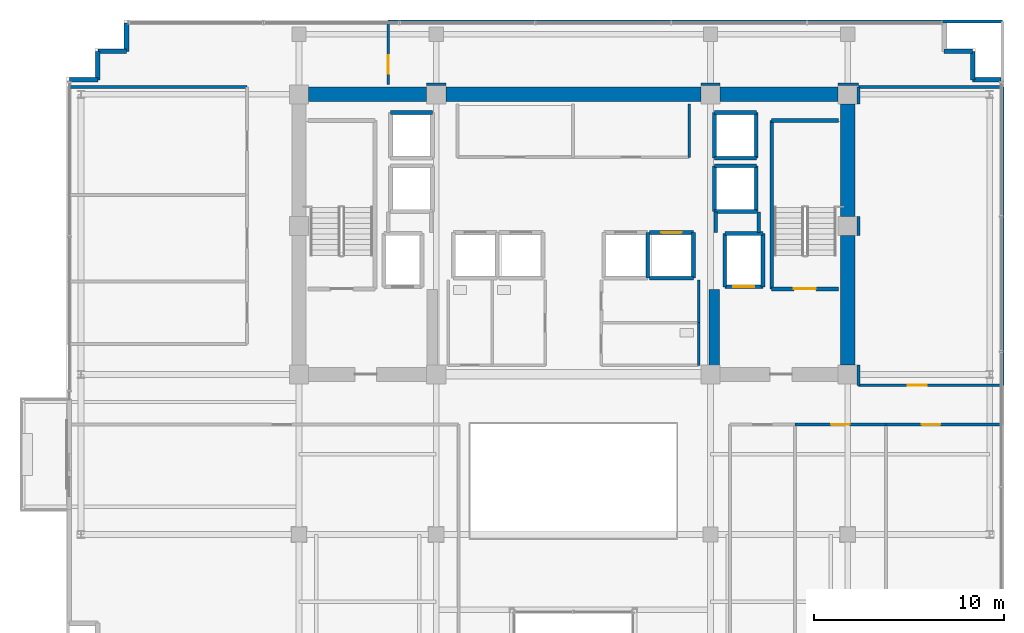
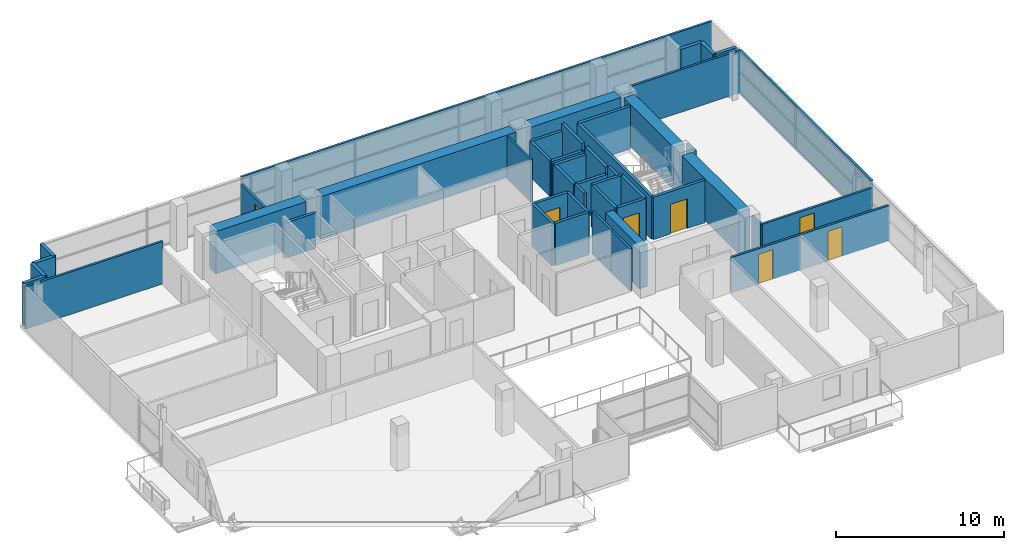
# One storey, part 16 of 21: 52 walls, 7 doors, 7 openings.
"""IFC4 building model written with IfcOpenShell, lengths in metres."""

from ifc_helpers import new_model, si_unit, direction, frame, frame_2d, origin, place, context, subcontext, project, spatial, rectangle, extrude, source, transform, mapped, material, layer, layer_set, type_object, element, fill, save


model = new_model("IFC4")

# Units and contexts
model_context = context("Model", 3, precision=1e-05, world=origin(), true_north=direction((0.0, 1.0)))
body_context = subcontext(model_context, "Body", "Model", "MODEL_VIEW")
ifc_project = project(units=[si_unit("LENGTHUNIT", "METRE"), si_unit("AREAUNIT", "SQUARE_METRE"), si_unit("VOLUMEUNIT", "CUBIC_METRE"), si_unit("PLANEANGLEUNIT", "RADIAN"), si_unit("MASSUNIT", "GRAM", prefix="KILO")], contexts=[model_context])

# Site, building, storey
site_placement = place(None, origin())
site = spatial("IfcSite", under=ifc_project, at=site_placement, CompositionType="ELEMENT")
building_placement = place(site_placement, origin())
building = spatial("IfcBuilding", under=site, at=building_placement, Name="Zarnakvel Exchange Tower", CompositionType="ELEMENT")
storey_placement = place(building_placement, frame((0.0, 0.0, 159.39990234375)))
storey = spatial("IfcBuildingStorey", under=building, at=storey_placement, Name="L44", CompositionType="ELEMENT", Elevation=159.39990234375)

# Walls
ifc_material_1 = material(Name="Concrete C60/75", Category="concrete")
ifc_layer_1 = layer(ifc_material_1, 0.75)
ifc_layer_set_1 = layer_set([ifc_layer_1], Name="Concrete C60/75")
wall_type_1 = type_object("IfcWallType", Name="CW-C3", PredefinedType="SHEAR", material=ifc_layer_set_1)
wall_1_placement = place(storey_placement, frame((-13.89990234375, 13.5, 0.0), z_axis=(0.0, 0.0, 1.0), x_axis=(1.0, 0.0, 0.0)))
element("IfcWall", 1, at=wall_1_placement, inside=storey, type_object=wall_type_1, Name="L44 Rear Core Shear Wall N1 (CW-C3)", PredefinedType="SHEAR", context=body_context, shape_type="SweptSolid", body=[
    extrude(rectangle(XDim=6.199951171875, YDim=0.75, at=frame_2d((3.10009765625, 0.0))), origin(), (0.0, 0.0, 1.0), 3.0751953125),
])
wall_2_placement = place(storey_placement, frame((-6.699951171875, 13.5, 0.0), z_axis=(0.0, 0.0, 1.0), x_axis=(1.0, 0.0, 0.0)))
element("IfcWall", 2, at=wall_2_placement, inside=storey, type_object=wall_type_1, Name="L44 Rear Core Shear Wall N2 (CW-C3)", PredefinedType="SHEAR", context=body_context, shape_type="SweptSolid", body=[
    extrude(rectangle(XDim=13.39990234375, YDim=0.75, at=frame_2d((6.699951171875, 0.0))), origin(), (0.0, 0.0, 1.0), 3.0751953125),
])
wall_3_placement = place(storey_placement, frame((7.699951171875, 13.5, 0.0), z_axis=(0.0, 0.0, 1.0), x_axis=(1.0, 0.0, 0.0)))
element("IfcWall", 3, at=wall_3_placement, inside=storey, type_object=wall_type_1, Name="L44 Rear Core Shear Wall N3 (CW-C3)", PredefinedType="SHEAR", context=body_context, shape_type="SweptSolid", body=[
    extrude(rectangle(XDim=6.199951171875, YDim=0.75, at=frame_2d((3.10009765625, 0.0))), origin(), (0.0, 0.0, 1.0), 3.0751953125),
])
wall_4_placement = place(storey_placement, frame((14.39990234375, -0.699951171875, 0.0), z_axis=(0.0, 0.0, 1.0), x_axis=(0.0, 1.0, 0.0)))
element("IfcWall", 4, at=wall_4_placement, inside=storey, type_object=wall_type_1, Name="L44 Rear Core Shear Wall E1 (CW-C3)", PredefinedType="SHEAR", context=body_context, shape_type="SweptSolid", body=[
    extrude(rectangle(XDim=6.800048828125, YDim=0.75, at=frame_2d((3.39990234375, 0.0))), origin(), (0.0, 0.0, 1.0), 3.0751953125),
])
wall_5_placement = place(storey_placement, frame((14.39990234375, 7.10009765625, 0.0), z_axis=(0.0, 0.0, 1.0), x_axis=(0.0, 1.0, 0.0)))
element("IfcWall", 5, at=wall_5_placement, inside=storey, type_object=wall_type_1, Name="L44 Rear Core Shear Wall E2 (CW-C3)", PredefinedType="SHEAR", context=body_context, shape_type="SweptSolid", body=[
    extrude(rectangle(XDim=5.89990234375, YDim=0.75, at=frame_2d((2.949951171875, 0.0))), origin(), (0.0, 0.0, 1.0), 3.0751953125),
])
ifc_layer_2 = layer(ifc_material_1, 0.550048828125)
ifc_layer_set_2 = layer_set([ifc_layer_2], Name="Concrete C60/75")
wall_type_2 = type_object("IfcWallType", Name="CW-C4", PredefinedType="SHEAR", material=ifc_layer_set_2)
wall_6_placement = place(storey_placement, frame((7.39990234375, -0.824951171875, 0.0), z_axis=(0.0, 0.0, 1.0), x_axis=(0.0, 1.0, 0.0)))
element("IfcWall", 6, at=wall_6_placement, inside=storey, type_object=wall_type_2, Name="L44 Rear Core Shear Wall IE (CW-C4)", PredefinedType="SHEAR", context=body_context, shape_type="SweptSolid", body=[
    extrude(rectangle(XDim=4.074951171875, YDim=0.550048828125, at=frame_2d((2.03759765625, 0.0))), origin(), (0.0, 0.0, 1.0), 3.0751953125),
])
ifc_material_2 = material(Name="Precast concrete C40/50", Category="concrete")
ifc_layer_3 = layer(ifc_material_2, 0.239990234375)
ifc_layer_set_3 = layer_set([ifc_layer_3], Name="Precast concrete C40/50")
wall_type_3 = type_object("IfcWallType", Name="EW-02", PredefinedType="SOLIDWALL", material=ifc_layer_set_3)
for number, where, z_axis, x_axis, name in (
    (7, (-24.9599609375, 14.260009765625, 0.0), (0.0, 0.0, 1.0), (-1.0, 0.0, 0.0), "L44 Exterior Precast Spandrel Wall EWC-L44-03 (EW-02)"),
    (8, (-24.9599609375, 15.760009765625, 0.0), (0.0, 0.0, 1.0), (0.0, -1.0, 0.0), "L44 Exterior Precast Spandrel Wall EWC-L44-04 (EW-02)"),
    (9, (-23.4599609375, 15.760009765625, 0.0), (0.0, 0.0, 1.0), (-1.0, 0.0, 0.0), "L44 Exterior Precast Spandrel Wall EWC-L44-05 (EW-02)"),
    (10, (-23.4599609375, 17.260009765625, 0.0), (0.0, 0.0, 1.0), (0.0, -1.0, 0.0), "L44 Exterior Precast Spandrel Wall EWC-L44-06 (EW-02)"),
    (11, (20.9599609375, 15.760009765625, 0.0), (0.0, 0.0, 1.0), (-1.0, 0.0, 0.0), "L44 Exterior Precast Spandrel Wall EWC-L44-08 (EW-02)"),
    (12, (20.9599609375, 14.260009765625, 0.0), (0.0, 0.0, 1.0), (0.0, 1.0, 0.0), "L44 Exterior Precast Spandrel Wall EWC-L44-09 (EW-02)"),
    (13, (22.4599609375, 14.260009765625, 0.0), (0.0, 0.0, 1.0), (-1.0, 0.0, 0.0), "L44 Exterior Precast Spandrel Wall EWC-L44-10 (EW-02)"),
):
    element("IfcWall", number, at=place(storey_placement, frame(where, z_axis=z_axis, x_axis=x_axis)), inside=storey, type_object=wall_type_3, Name=name, PredefinedType="SOLIDWALL", context=body_context, shape_type="SweptSolid", body=[
        extrude(rectangle(XDim=1.5, YDim=0.239990234375, at=frame_2d((0.75, 0.0))), origin(), (0.0, 0.0, 1.0), 3.0751953125),
    ])
ifc_material_3 = material(Name="Fire-Rated Gypsum Stud Partition", Category="gypsum")
ifc_layer_4 = layer(ifc_material_3, 0.14990234375)
ifc_layer_set_4 = layer_set([ifc_layer_4], Name="Fire-Rated Gypsum Stud Partition")
wall_type_4 = type_object("IfcWallType", Name="PT-01", PredefinedType="PARTITIONING", material=ifc_layer_set_4)
wall_7_placement = place(storey_placement, frame((6.580078125, 3.760009765625, 0.0), z_axis=(0.0, 0.0, 1.0), x_axis=(0.0, -1.0, 0.0)))
element("IfcWall", 14, at=wall_7_placement, inside=storey, type_object=wall_type_4, Name="L44 Partition Wall PWALL-L44-026 (PT-01)", PredefinedType="PARTITIONING", context=body_context, shape_type="SweptSolid", body=[
    extrude(rectangle(XDim=2.239990234375, YDim=0.14990234375, at=frame_2d((1.1201171875, 0.0))), origin(), (0.0, 0.0, 1.0), 3.0751953125),
])

# Wall, opening, door
wall_8_placement = place(storey_placement, frame((11.6298828125, -3.830078125, 0.0), z_axis=(0.0, 0.0, 1.0), x_axis=(1.0, 0.0, 0.0)))
wall_8 = element("IfcWall", 15, at=wall_8_placement, inside=storey, type_object=wall_type_4, Name="L44 Partition Wall PWALL-L44-036 (PT-01)", PredefinedType="PARTITIONING", context=body_context, shape_type="SweptSolid", body=[
    extrude(rectangle(XDim=4.77197265625, YDim=0.14990234375, at=frame_2d((2.385986328125, 0.0))), origin(), (0.0, 0.0, 1.0), 2.565185546875),
])
opening_1_placement = place(wall_8_placement, frame((1.89599609375, 0.0, 0.0)))
opening_1 = element("IfcOpeningElement", 16, at=opening_1_placement, cuts=wall_8, Name="Opening D-L44-13", PredefinedType="OPENING", context=body_context, shape_type="SweptSolid", body=[
    extrude(rectangle(XDim=0.97998046875, YDim=2.14990234375, at=frame_2d((0.489990234375, 1.074951171875))), frame((0.0, 0.0849609375, 0.0), z_axis=(0.0, -1.0, 0.0), x_axis=(1.0, 0.0, 0.0)), (0.0, 0.0, 1.0), 0.169921875),
])
ifc_material_4 = material(Name="Timber Acoustic Veneer", Category="wood")
door_type_1 = type_object("IfcDoorType", Name="DT-05", OperationType="NOTDEFINED", PredefinedType="DOOR", material=ifc_material_4)
shared_shape_1 = source(origin(), body_context, "Body", "SweptSolid", [
    extrude(rectangle(XDim=0.97998046875, YDim=2.14990234375, at=frame_2d((0.489990234375, 1.074951171875))), frame((0.0, 0.02490234375, 0.0), z_axis=(0.0, -1.0, 0.0), x_axis=(1.0, 0.0, 0.0)), (0.0, 0.0, 1.0), 0.050048828125),
])
door_1_placement = place(opening_1_placement, origin())
door_1 = element("IfcDoor", 17, at=door_1_placement, inside=storey, type_object=door_type_1, Name="L44 Breakout Pantry Door D-L44-13", OperationType="SINGLE_SWING_LEFT", OverallHeight=2.14990234375, OverallWidth=0.97998046875, PredefinedType="DOOR", context=body_context, shape_type="MappedRepresentation", body=[
    mapped(shared_shape_1, transform((0.0, 0.0, 0.0), x_axis=(1.0, 0.0, 0.0), y_axis=(0.0, 1.0, 0.0), z_axis=(0.0, 0.0, 1.0), scale=1.0)),
])
fill(opening_1, door_1)

wall_9_placement = place(storey_placement, frame((16.40185546875, -3.830078125, 0.0), z_axis=(0.0, 0.0, 1.0), x_axis=(1.0, 0.0, 0.0)))
wall_9 = element("IfcWall", 18, at=wall_9_placement, inside=storey, type_object=wall_type_4, Name="L44 Partition Wall PWALL-L44-039 (PT-01)", PredefinedType="PARTITIONING", context=body_context, shape_type="SweptSolid", body=[
    extrude(rectangle(XDim=6.128173828125, YDim=0.14990234375, at=frame_2d((3.06396484375, 0.0))), origin(), (0.0, 0.0, 1.0), 2.565185546875),
])
opening_2_placement = place(wall_9_placement, frame((1.874267578125, 0.0, 0.0)))
opening_2 = element("IfcOpeningElement", 19, at=opening_2_placement, cuts=wall_9, Name="Opening D-L44-14", PredefinedType="OPENING", context=body_context, shape_type="SweptSolid", body=[
    extrude(rectangle(XDim=0.97998046875, YDim=2.14990234375, at=frame_2d((0.489990234375, 1.074951171875))), frame((0.0, 0.0849609375, 0.0), z_axis=(0.0, -1.0, 0.0), x_axis=(1.0, 0.0, 0.0)), (0.0, 0.0, 1.0), 0.169921875),
])
door_2_placement = place(opening_2_placement, origin())
door_2 = element("IfcDoor", 20, at=door_2_placement, inside=storey, type_object=door_type_1, Name="L44 Settlement Office Door D-L44-14", OperationType="SINGLE_SWING_RIGHT", OverallHeight=2.14990234375, OverallWidth=0.97998046875, PredefinedType="DOOR", context=body_context, shape_type="MappedRepresentation", body=[
    mapped(shared_shape_1, transform((0.0, 0.0, 0.0), x_axis=(1.0, 0.0, 0.0), y_axis=(0.0, 1.0, 0.0), z_axis=(0.0, 0.0, 1.0), scale=1.0)),
])
fill(opening_2, door_2)

# Wall
wall_10_placement = place(storey_placement, frame((-26.530029296875, 13.8798828125, 0.0), z_axis=(0.0, 0.0, 1.0), x_axis=(1.0, 0.0, 0.0)))
element("IfcWall", 21, at=wall_10_placement, inside=storey, type_object=wall_type_4, Name="L44 Partition Wall PWALL-L44-048 (PT-01)", PredefinedType="PARTITIONING", context=body_context, shape_type="SweptSolid", body=[
    extrude(rectangle(XDim=9.400146484375, YDim=0.14990234375, at=frame_2d((4.7001953125, 0.0))), origin(), (0.0, 0.0, 1.0), 3.0751953125),
])

# Wall, opening, door
wall_11_placement = place(storey_placement, frame((22.530029296875, -1.77001953125, 0.0), z_axis=(0.0, 0.0, 1.0), x_axis=(-1.0, 0.0, 0.0)))
wall_11 = element("IfcWall", 22, at=wall_11_placement, inside=storey, type_object=wall_type_4, Name="L44 Partition Wall PWALL-L44-051 (PT-01)", PredefinedType="PARTITIONING", context=body_context, shape_type="SweptSolid", body=[
    extrude(rectangle(XDim=7.56005859375, YDim=0.14990234375, at=frame_2d((3.780029296875, 0.0))), origin(), (0.0, 0.0, 1.0), 2.565185546875),
])
opening_3_placement = place(wall_11_placement, frame((3.989990234375, 0.0, 0.0)))
opening_3 = element("IfcOpeningElement", 23, at=opening_3_placement, cuts=wall_11, Name="Opening D-L44-18", PredefinedType="OPENING", context=body_context, shape_type="SweptSolid", body=[
    extrude(rectangle(XDim=0.97998046875, YDim=2.14990234375, at=frame_2d((0.489990234375, 1.074951171875))), frame((0.0, 0.0849609375, 0.0), z_axis=(0.0, -1.0, 0.0), x_axis=(1.0, 0.0, 0.0)), (0.0, 0.0, 1.0), 0.169921875),
])
door_3_placement = place(opening_3_placement, origin())
door_3 = element("IfcDoor", 24, at=door_3_placement, inside=storey, type_object=door_type_1, Name="L44 Breakout Pantry Door D-L44-18", OperationType="SINGLE_SWING_RIGHT", OverallHeight=2.14990234375, OverallWidth=0.97998046875, PredefinedType="DOOR", context=body_context, shape_type="MappedRepresentation", body=[
    mapped(shared_shape_1, transform((0.0, 0.0, 0.0), x_axis=(1.0, 0.0, 0.0), y_axis=(0.0, 1.0, 0.0), z_axis=(0.0, 0.0, 1.0), scale=1.0)),
])
fill(opening_3, door_3)

# Walls
wall_12_placement = place(storey_placement, frame((14.969970703125, 13.8798828125, 0.0), z_axis=(0.0, 0.0, 1.0), x_axis=(1.0, 0.0, 0.0)))
element("IfcWall", 25, at=wall_12_placement, inside=storey, type_object=wall_type_4, Name="L44 Partition Wall PWALL-L44-052 (PT-01)", PredefinedType="PARTITIONING", context=body_context, shape_type="SweptSolid", body=[
    extrude(rectangle(XDim=7.56005859375, YDim=0.14990234375, at=frame_2d((3.780029296875, 0.0))), origin(), (0.0, 0.0, 1.0), 3.0751953125),
])
wall_13_placement = place(storey_placement, frame((14.969970703125, -1.77001953125, 0.0), z_axis=(0.0, 0.0, 1.0), x_axis=(0.0, 1.0, 0.0)))
element("IfcWall", 26, at=wall_13_placement, inside=storey, type_object=wall_type_4, Name="L44 Partition Wall PWALL-L44-053 (PT-01)", PredefinedType="PARTITIONING", context=body_context, shape_type="SweptSolid", body=[
    extrude(rectangle(XDim=1.070068359375, YDim=0.14990234375, at=frame_2d((0.53515625, 0.0))), origin(), (0.0, 0.0, 1.0), 2.565185546875),
])
wall_14_placement = place(storey_placement, frame((14.969970703125, 6.10009765625, 0.0), z_axis=(0.0, 0.0, 1.0), x_axis=(0.0, 1.0, 0.0)))
element("IfcWall", 27, at=wall_14_placement, inside=storey, type_object=wall_type_4, Name="L44 Partition Wall PWALL-L44-054 (PT-01)", PredefinedType="PARTITIONING", context=body_context, shape_type="SweptSolid", body=[
    extrude(rectangle(XDim=1.0, YDim=0.14990234375, at=frame_2d((0.5, 0.0))), origin(), (0.0, 0.0, 1.0), 3.0751953125),
])
wall_15_placement = place(storey_placement, frame((14.969970703125, 13.0, 0.0), z_axis=(0.0, 0.0, 1.0), x_axis=(0.0, 1.0, 0.0)))
element("IfcWall", 28, at=wall_15_placement, inside=storey, type_object=wall_type_4, Name="L44 Partition Wall PWALL-L44-055 (PT-01)", PredefinedType="PARTITIONING", context=body_context, shape_type="SweptSolid", body=[
    extrude(rectangle(XDim=0.8798828125, YDim=0.14990234375, at=frame_2d((0.43994140625, 0.0))), origin(), (0.0, 0.0, 1.0), 2.565185546875),
])
wall_16_placement = place(storey_placement, frame((22.530029296875, 13.8798828125, 0.0), z_axis=(0.0, 0.0, 1.0), x_axis=(0.0, -1.0, 0.0)))
element("IfcWall", 29, at=wall_16_placement, inside=storey, type_object=wall_type_4, Name="L44 Partition Wall PWALL-L44-056 (PT-01)", PredefinedType="PARTITIONING", context=body_context, shape_type="SweptSolid", body=[
    extrude(rectangle(XDim=15.64990234375, YDim=0.14990234375, at=frame_2d((7.824951171875, 0.0))), origin(), (0.0, 0.0, 1.0), 3.0751953125),
])
for number, where, z_axis, x_axis, name in (
    (30, (-6.699951171875, 14.030029296875, 0.0), (0.0, 0.0, 1.0), (-1.0, 0.0, 0.0), "L44 Partition Wall PWALL-L44-057 (PT-01)"),
    (31, (7.699951171875, 14.030029296875, 0.0), (0.0, 0.0, 1.0), (-1.0, 0.0, 0.0), "L44 Partition Wall PWALL-L44-058 (PT-01)"),
):
    element("IfcWall", number, at=place(storey_placement, frame(where, z_axis=z_axis, x_axis=x_axis)), inside=storey, type_object=wall_type_4, Name=name, PredefinedType="PARTITIONING", context=body_context, shape_type="SweptSolid", body=[
        extrude(rectangle(XDim=1.0, YDim=0.14990234375, at=frame_2d((0.5, 0.0))), origin(), (0.0, 0.0, 1.0), 2.565185546875),
    ])
wall_17_placement = place(storey_placement, frame((14.969970703125, 14.030029296875, 0.0), z_axis=(0.0, 0.0, 1.0), x_axis=(-1.0, 0.0, 0.0)))
element("IfcWall", 32, at=wall_17_placement, inside=storey, type_object=wall_type_4, Name="L44 Partition Wall PWALL-L44-059 (PT-01)", PredefinedType="PARTITIONING", context=body_context, shape_type="SweptSolid", body=[
    extrude(rectangle(XDim=1.070068359375, YDim=0.14990234375, at=frame_2d((0.53515625, 0.0))), origin(), (0.0, 0.0, 1.0), 2.565185546875),
])
wall_18_placement = place(storey_placement, frame((-9.719970703125, 17.330078125, 0.0), z_axis=(0.0, 0.0, 1.0), x_axis=(1.0, 0.0, 0.0)))
element("IfcWall", 33, at=wall_18_placement, inside=storey, type_object=wall_type_4, Name="L44 Partition Wall PWALL-L44-060 (PT-01)", PredefinedType="PARTITIONING", context=body_context, shape_type="SweptSolid", body=[
    extrude(rectangle(XDim=32.25, YDim=0.14990234375, at=frame_2d((16.125, 0.0))), origin(), (0.0, 0.0, 1.0), 3.0751953125),
])

# Wall, opening, door
wall_19_placement = place(storey_placement, frame((-9.719970703125, 14.030029296875, 0.0), z_axis=(0.0, 0.0, 1.0), x_axis=(0.0, 1.0, 0.0)))
wall_19 = element("IfcWall", 34, at=wall_19_placement, inside=storey, type_object=wall_type_4, Name="L44 Partition Wall PWALL-L44-061 (PT-01)", PredefinedType="PARTITIONING", context=body_context, shape_type="SweptSolid", body=[
    extrude(rectangle(XDim=3.300048828125, YDim=0.14990234375, at=frame_2d((1.64990234375, 0.0))), origin(), (0.0, 0.0, 1.0), 2.565185546875),
])
opening_4_placement = place(wall_19_placement, frame((0.550048828125, 0.0, 0.0)))
opening_4 = element("IfcOpeningElement", 35, at=opening_4_placement, cuts=wall_19, Name="Opening D-L44-19", PredefinedType="OPENING", context=body_context, shape_type="SweptSolid", body=[
    extrude(rectangle(XDim=0.97998046875, YDim=2.14990234375, at=frame_2d((0.489990234375, 1.074951171875))), frame((0.0, 0.0849609375, 0.0), z_axis=(0.0, -1.0, 0.0), x_axis=(1.0, 0.0, 0.0)), (0.0, 0.0, 1.0), 0.169921875),
])
door_4_placement = place(opening_4_placement, origin())
door_4 = element("IfcDoor", 36, at=door_4_placement, inside=storey, type_object=door_type_1, Name="L44 Settlement Office Door D-L44-19", OperationType="SINGLE_SWING_LEFT", OverallHeight=2.14990234375, OverallWidth=0.97998046875, PredefinedType="DOOR", context=body_context, shape_type="MappedRepresentation", body=[
    mapped(shared_shape_1, transform((0.0, 0.0, 0.0), x_axis=(1.0, 0.0, 0.0), y_axis=(0.0, 1.0, 0.0), z_axis=(0.0, 0.0, 1.0), scale=1.0)),
])
fill(opening_4, door_4)

# Walls
ifc_layer_5 = layer(ifc_material_3, 0.179931640625)
ifc_layer_set_5 = layer_set([ifc_layer_5], Name="Fire-Rated Gypsum Stud Partition")
wall_type_5 = type_object("IfcWallType", Name="PT-02", PredefinedType="PARTITIONING", material=ifc_layer_set_5)
wall_20_placement = place(storey_placement, frame((7.469970703125, 6.239990234375, 0.0), z_axis=(0.0, 0.0, 1.0), x_axis=(0.0, 1.0, 0.0)))
element("IfcWall", 37, at=wall_20_placement, inside=storey, type_object=wall_type_5, Name="L44 Partition Wall PWALL-L44-009 (PT-02)", PredefinedType="PARTITIONING", context=body_context, shape_type="SweptSolid", body=[
    extrude(rectangle(XDim=1.090087890625, YDim=0.179931640625, at=frame_2d((0.544921875, 0.0))), origin(), (0.0, 0.0, 1.0), 2.565185546875),
])
wall_21_placement = place(storey_placement, frame((9.72998046875, 7.330078125, 0.0), z_axis=(0.0, 0.0, 1.0), x_axis=(0.0, -1.0, 0.0)))
element("IfcWall", 38, at=wall_21_placement, inside=storey, type_object=wall_type_5, Name="L44 Partition Wall PWALL-L44-010 (PT-02)", PredefinedType="PARTITIONING", context=body_context, shape_type="SweptSolid", body=[
    extrude(rectangle(XDim=1.090087890625, YDim=0.179931640625, at=frame_2d((0.544921875, 0.0))), origin(), (0.0, 0.0, 1.0), 3.0751953125),
])
ifc_material_5 = material(Name="Moisture-Resistant Tile-Faced Partition", Category="gypsum")
ifc_layer_6 = layer(ifc_material_5, 0.135009765625)
ifc_layer_set_6 = layer_set([ifc_layer_6], Name="Moisture-Resistant Tile-Faced Partition")
wall_type_6 = type_object("IfcWallType", Name="PT-03", PredefinedType="PARTITIONING", material=ifc_layer_set_6)
wall_22_placement = place(storey_placement, frame((6.080078125, 13.0, 0.0), z_axis=(0.0, 0.0, 1.0), x_axis=(0.0, -1.0, 0.0)))
element("IfcWall", 39, at=wall_22_placement, inside=storey, type_object=wall_type_6, Name="L44 Partition Wall PWALL-L44-015 (PT-03)", PredefinedType="PARTITIONING", context=body_context, shape_type="SweptSolid", body=[
    extrude(rectangle(XDim=2.800048828125, YDim=0.135009765625, at=frame_2d((1.39990234375, 0.0))), origin(), (0.0, 0.0, 1.0), 3.0751953125),
])
wall_23_placement = place(storey_placement, frame((6.580078125, 1.52001953125, 0.0), z_axis=(0.0, 0.0, 1.0), x_axis=(0.0, -1.0, 0.0)))
element("IfcWall", 40, at=wall_23_placement, inside=storey, type_object=wall_type_6, Name="L44 Partition Wall PWALL-L44-024 (PT-03)", PredefinedType="PARTITIONING", context=body_context, shape_type="SweptSolid", body=[
    extrude(rectangle(XDim=2.25, YDim=0.135009765625, at=frame_2d((1.125, 0.0))), origin(), (0.0, 0.0, 1.0), 3.0751953125),
])

# Wall, opening, door
ifc_material_6 = material(Name="Concrete C40/50", Category="concrete")
ifc_layer_7 = layer(ifc_material_6, 0.199951171875)
ifc_layer_set_7 = layer_set([ifc_layer_7], Name="Concrete C40/50")
wall_type_7 = type_object("IfcWallType", Name="SW-01", PredefinedType="SOLIDWALL", material=ifc_layer_set_7)
wall_24_placement = place(storey_placement, frame((9.949951171875, 3.39990234375, 0.0), z_axis=(0.0, 0.0, 1.0), x_axis=(-1.0, 0.0, 0.0)))
wall_24 = element("IfcWall", 41, at=wall_24_placement, inside=storey, type_object=wall_type_7, Name="L44 FL-02 Hoistway Wall South", PredefinedType="SOLIDWALL", context=body_context, shape_type="SweptSolid", body=[
    extrude(rectangle(XDim=2.0, YDim=0.199951171875, at=frame_2d((1.0, 0.0))), origin(), (0.0, 0.0, 1.0), 3.0751953125),
])
opening_5_placement = place(wall_24_placement, frame((0.449951171875, 0.0, 0.0)))
opening_5 = element("IfcOpeningElement", 42, at=opening_5_placement, cuts=wall_24, Name="Opening LD-FL-02-L44", PredefinedType="OPENING", context=body_context, shape_type="SweptSolid", body=[
    extrude(rectangle(XDim=1.10009765625, YDim=2.199951171875, at=frame_2d((0.550048828125, 1.10009765625))), frame((0.0, 0.10986328125, 0.0), z_axis=(0.0, -1.0, 0.0), x_axis=(1.0, 0.0, 0.0)), (0.0, 0.0, 1.0), 0.219970703125),
])
ifc_material_7 = material(Name="Brushed Stainless Steel", Category="steel")
door_type_2 = type_object("IfcDoorType", Name="LDT-01", OperationType="NOTDEFINED", PredefinedType="DOOR", material=ifc_material_7)
shared_shape_2 = source(origin(), body_context, "Body", "SweptSolid", [
    extrude(rectangle(XDim=1.10009765625, YDim=2.199951171875, at=frame_2d((0.550048828125, 1.10009765625))), frame((0.0, 0.02490234375, 0.0), z_axis=(0.0, -1.0, 0.0), x_axis=(1.0, 0.0, 0.0)), (0.0, 0.0, 1.0), 0.050048828125),
])
door_5_placement = place(opening_5_placement, origin())
door_5 = element("IfcDoor", 43, at=door_5_placement, inside=storey, type_object=door_type_2, Name="L44 FL-02 Lift Landing Door LD-FL-02-L44", OperationType="DOUBLE_DOOR_SLIDING", OverallHeight=2.199951171875, OverallWidth=1.10009765625, PredefinedType="DOOR", context=body_context, shape_type="MappedRepresentation", body=[
    mapped(shared_shape_2, transform((0.0, 0.0, 0.0), x_axis=(1.0, 0.0, 0.0), y_axis=(0.0, 1.0, 0.0), z_axis=(0.0, 0.0, 1.0), scale=1.0)),
])
fill(opening_5, door_5)

# Walls
wall_25_placement = place(storey_placement, frame((7.949951171875, 6.199951171875, 0.0), z_axis=(0.0, 0.0, 1.0), x_axis=(1.0, 0.0, 0.0)))
element("IfcWall", 44, at=wall_25_placement, inside=storey, type_object=wall_type_7, Name="L44 FL-02 Hoistway Wall North", PredefinedType="SOLIDWALL", context=body_context, shape_type="SweptSolid", body=[
    extrude(rectangle(XDim=2.0, YDim=0.199951171875, at=frame_2d((1.0, 0.0))), origin(), (0.0, 0.0, 1.0), 3.0751953125),
])
for number, where, z_axis, x_axis, name in (
    (45, (7.949951171875, 3.39990234375, 0.0), (0.0, 0.0, 1.0), (0.0, 1.0, 0.0), "L44 FL-02 Hoistway Wall West"),
    (46, (9.949951171875, 6.199951171875, 0.0), (0.0, 0.0, 1.0), (0.0, -1.0, 0.0), "L44 FL-02 Hoistway Wall East"),
):
    element("IfcWall", number, at=place(storey_placement, frame(where, z_axis=z_axis, x_axis=x_axis)), inside=storey, type_object=wall_type_7, Name=name, PredefinedType="SOLIDWALL", context=body_context, shape_type="SweptSolid", body=[
        extrude(rectangle(XDim=2.800048828125, YDim=0.199951171875, at=frame_2d((1.39990234375, 0.0))), origin(), (0.0, 0.0, 1.0), 3.0751953125),
    ])
wall_26_placement = place(storey_placement, frame((3.89990234375, 6.25, 0.0), z_axis=(0.0, 0.0, 1.0), x_axis=(0.0, -1.0, 0.0)))
element("IfcWall", 47, at=wall_26_placement, inside=storey, type_object=wall_type_7, Name="L44 PL-07 Hoistway Wall East", PredefinedType="SOLIDWALL", context=body_context, shape_type="SweptSolid", body=[
    extrude(rectangle(XDim=2.39990234375, YDim=0.199951171875, at=frame_2d((1.199951171875, 0.0))), origin(), (0.0, 0.0, 1.0), 3.0751953125),
])
wall_27_placement = place(storey_placement, frame((6.300048828125, 3.85009765625, 0.0), z_axis=(0.0, 0.0, 1.0), x_axis=(-1.0, 0.0, 0.0)))
element("IfcWall", 48, at=wall_27_placement, inside=storey, type_object=wall_type_7, Name="L44 PL-08 Hoistway Wall South", PredefinedType="SOLIDWALL", context=body_context, shape_type="SweptSolid", body=[
    extrude(rectangle(XDim=2.300048828125, YDim=0.199951171875, at=frame_2d((1.14990234375, 0.0))), origin(), (0.0, 0.0, 1.0), 3.0751953125),
])

# Wall, opening, door
wall_28_placement = place(storey_placement, frame((4.0, 6.25, 0.0), z_axis=(0.0, 0.0, 1.0), x_axis=(1.0, 0.0, 0.0)))
wall_28 = element("IfcWall", 49, at=wall_28_placement, inside=storey, type_object=wall_type_7, Name="L44 PL-08 Hoistway Wall North", PredefinedType="SOLIDWALL", context=body_context, shape_type="SweptSolid", body=[
    extrude(rectangle(XDim=2.300048828125, YDim=0.199951171875, at=frame_2d((1.14990234375, 0.0))), origin(), (0.0, 0.0, 1.0), 3.0751953125),
])
opening_6_placement = place(wall_28_placement, frame((0.60009765625, 0.0, 0.0)))
opening_6 = element("IfcOpeningElement", 50, at=opening_6_placement, cuts=wall_28, Name="Opening LD-PL-08-L44", PredefinedType="OPENING", context=body_context, shape_type="SweptSolid", body=[
    extrude(rectangle(XDim=1.10009765625, YDim=2.199951171875, at=frame_2d((0.550048828125, 1.10009765625))), frame((0.0, 0.10986328125, 0.0), z_axis=(0.0, -1.0, 0.0), x_axis=(1.0, 0.0, 0.0)), (0.0, 0.0, 1.0), 0.219970703125),
])
ifc_material_8 = material(Name="Architectural Bronze Anodised Aluminium", Category="aluminium")
door_type_3 = type_object("IfcDoorType", Name="LDT-02", OperationType="NOTDEFINED", PredefinedType="DOOR", material=ifc_material_8)
door_6_placement = place(opening_6_placement, origin())
door_6 = element("IfcDoor", 51, at=door_6_placement, inside=storey, type_object=door_type_3, Name="L44 PL-08 Lift Landing Door LD-PL-08-L44", OperationType="DOUBLE_DOOR_SLIDING", OverallHeight=2.199951171875, OverallWidth=1.10009765625, PredefinedType="DOOR", context=body_context, shape_type="MappedRepresentation", body=[
    mapped(shared_shape_2, transform((0.0, 0.0, 0.0), x_axis=(1.0, 0.0, 0.0), y_axis=(0.0, 1.0, 0.0), z_axis=(0.0, 0.0, 1.0), scale=1.0)),
])
fill(opening_6, door_6)

# Walls
wall_29_placement = place(storey_placement, frame((6.300048828125, 6.25, 0.0), z_axis=(0.0, 0.0, 1.0), x_axis=(0.0, -1.0, 0.0)))
element("IfcWall", 52, at=wall_29_placement, inside=storey, type_object=wall_type_7, Name="L44 PL-08 Hoistway Wall East", PredefinedType="SOLIDWALL", context=body_context, shape_type="SweptSolid", body=[
    extrude(rectangle(XDim=2.39990234375, YDim=0.199951171875, at=frame_2d((1.199951171875, 0.0))), origin(), (0.0, 0.0, 1.0), 3.0751953125),
])
for number, where, z_axis, x_axis, name in (
    (53, (-9.60009765625, 12.550048828125, 0.0), (0.0, 0.0, 1.0), (1.0, 0.0, 0.0), "L44 PL-10 Hoistway Wall North"),
    (54, (9.60009765625, 7.35009765625, 0.0), (0.0, 0.0, 1.0), (-1.0, 0.0, 0.0), "L44 PL-11 Hoistway Wall South"),
    (55, (7.39990234375, 9.75, 0.0), (0.0, 0.0, 1.0), (1.0, 0.0, 0.0), "L44 PL-11 Hoistway Wall North"),
):
    element("IfcWall", number, at=place(storey_placement, frame(where, z_axis=z_axis, x_axis=x_axis)), inside=storey, type_object=wall_type_7, Name=name, PredefinedType="SOLIDWALL", context=body_context, shape_type="SweptSolid", body=[
        extrude(rectangle(XDim=2.2001953125, YDim=0.199951171875, at=frame_2d((1.10009765625, 0.0))), origin(), (0.0, 0.0, 1.0), 2.565185546875),
    ])
wall_30_placement = place(storey_placement, frame((7.39990234375, 7.35009765625, 0.0), z_axis=(0.0, 0.0, 1.0), x_axis=(0.0, 1.0, 0.0)))
element("IfcWall", 56, at=wall_30_placement, inside=storey, type_object=wall_type_7, Name="L44 PL-11 Hoistway Wall West", PredefinedType="SOLIDWALL", context=body_context, shape_type="SweptSolid", body=[
    extrude(rectangle(XDim=2.39990234375, YDim=0.199951171875, at=frame_2d((1.199951171875, 0.0))), origin(), (0.0, 0.0, 1.0), 2.565185546875),
])
wall_31_placement = place(storey_placement, frame((9.60009765625, 9.75, 0.0), z_axis=(0.0, 0.0, 1.0), x_axis=(0.0, -1.0, 0.0)))
element("IfcWall", 57, at=wall_31_placement, inside=storey, type_object=wall_type_7, Name="L44 PL-11 Hoistway Wall East", PredefinedType="SOLIDWALL", context=body_context, shape_type="SweptSolid", body=[
    extrude(rectangle(XDim=2.39990234375, YDim=0.199951171875, at=frame_2d((1.199951171875, 0.0))), origin(), (0.0, 0.0, 1.0), 3.0751953125),
])
for number, where, z_axis, x_axis, name in (
    (58, (9.60009765625, 10.14990234375, 0.0), (0.0, 0.0, 1.0), (-1.0, 0.0, 0.0), "L44 PL-12 Hoistway Wall South"),
    (59, (7.39990234375, 12.550048828125, 0.0), (0.0, 0.0, 1.0), (1.0, 0.0, 0.0), "L44 PL-12 Hoistway Wall North"),
):
    element("IfcWall", number, at=place(storey_placement, frame(where, z_axis=z_axis, x_axis=x_axis)), inside=storey, type_object=wall_type_7, Name=name, PredefinedType="SOLIDWALL", context=body_context, shape_type="SweptSolid", body=[
        extrude(rectangle(XDim=2.2001953125, YDim=0.199951171875, at=frame_2d((1.10009765625, 0.0))), origin(), (0.0, 0.0, 1.0), 2.565185546875),
    ])
wall_32_placement = place(storey_placement, frame((7.39990234375, 10.14990234375, 0.0), z_axis=(0.0, 0.0, 1.0), x_axis=(0.0, 1.0, 0.0)))
element("IfcWall", 60, at=wall_32_placement, inside=storey, type_object=wall_type_7, Name="L44 PL-12 Hoistway Wall West", PredefinedType="SOLIDWALL", context=body_context, shape_type="SweptSolid", body=[
    extrude(rectangle(XDim=2.400146484375, YDim=0.199951171875, at=frame_2d((1.2001953125, 0.0))), origin(), (0.0, 0.0, 1.0), 2.565185546875),
])
wall_33_placement = place(storey_placement, frame((9.60009765625, 12.550048828125, 0.0), z_axis=(0.0, 0.0, 1.0), x_axis=(0.0, -1.0, 0.0)))
element("IfcWall", 61, at=wall_33_placement, inside=storey, type_object=wall_type_7, Name="L44 PL-12 Hoistway Wall East", PredefinedType="SOLIDWALL", context=body_context, shape_type="SweptSolid", body=[
    extrude(rectangle(XDim=2.400146484375, YDim=0.199951171875, at=frame_2d((1.2001953125, 0.0))), origin(), (0.0, 0.0, 1.0), 3.0751953125),
])

# Wall, opening, door
ifc_layer_8 = layer(ifc_material_6, 0.199951171875)
ifc_layer_set_8 = layer_set([ifc_layer_8], Name="Concrete C40/50")
wall_type_8 = type_object("IfcWallType", Name="SW-02", PredefinedType="SOLIDWALL", material=ifc_layer_set_8)
wall_34_placement = place(storey_placement, frame((13.929931640625, 3.2900390625, 0.0), z_axis=(0.0, 0.0, 1.0), x_axis=(-1.0, 0.0, 0.0)))
wall_34 = element("IfcWall", 62, at=wall_34_placement, inside=storey, type_object=wall_type_8, Name="L44 Stairwell Core Wall PWALL-L44-004 (SW-02)", PredefinedType="SOLIDWALL", context=body_context, shape_type="SweptSolid", body=[
    extrude(rectangle(XDim=3.52001953125, YDim=0.199951171875, at=frame_2d((1.760009765625, 0.0))), origin(), (0.0, 0.0, 1.0), 3.0751953125),
])
opening_7_placement = place(wall_34_placement, frame((1.205078125, 0.0, 0.0)))
opening_7 = element("IfcOpeningElement", 63, at=opening_7_placement, cuts=wall_34, Name="Opening D-L44-02", PredefinedType="OPENING", context=body_context, shape_type="SweptSolid", body=[
    extrude(rectangle(XDim=1.14990234375, YDim=2.14990234375, at=frame_2d((0.574951171875, 1.074951171875))), frame((0.0, 0.10986328125, 0.0), z_axis=(0.0, -1.0, 0.0), x_axis=(1.0, 0.0, 0.0)), (0.0, 0.0, 1.0), 0.219970703125),
])
ifc_material_9 = material(Name="Painted Galvanised Steel S355", Category="steel")
door_type_4 = type_object("IfcDoorType", Name="DT-04", OperationType="NOTDEFINED", PredefinedType="DOOR", material=ifc_material_9)
shared_shape_3 = source(origin(), body_context, "Body", "SweptSolid", [
    extrude(rectangle(XDim=1.14990234375, YDim=2.14990234375, at=frame_2d((0.574951171875, 1.074951171875))), frame((0.0, 0.02490234375, 0.0), z_axis=(0.0, -1.0, 0.0), x_axis=(1.0, 0.0, 0.0)), (0.0, 0.0, 1.0), 0.050048828125),
])
door_7_placement = place(opening_7_placement, origin())
door_7 = element("IfcDoor", 64, at=door_7_placement, inside=storey, type_object=door_type_4, Name="L44 Stairwell ST-02 Door D-L44-02", OperationType="SINGLE_SWING_RIGHT", OverallHeight=2.14990234375, OverallWidth=1.14990234375, PredefinedType="DOOR", context=body_context, shape_type="MappedRepresentation", body=[
    mapped(shared_shape_3, transform((0.0, 0.0, 0.0), x_axis=(1.0, 0.0, 0.0), y_axis=(0.0, 1.0, 0.0), z_axis=(0.0, 0.0, 1.0), scale=1.0)),
])
fill(opening_7, door_7)

# Walls
wall_35_placement = place(storey_placement, frame((10.409912109375, 12.1298828125, 0.0), z_axis=(0.0, 0.0, 1.0), x_axis=(1.0, 0.0, 0.0)))
element("IfcWall", 65, at=wall_35_placement, inside=storey, type_object=wall_type_8, Name="L44 Stairwell Core Wall PWALL-L44-005 (SW-02)", PredefinedType="SOLIDWALL", context=body_context, shape_type="SweptSolid", body=[
    extrude(rectangle(XDim=3.52001953125, YDim=0.199951171875, at=frame_2d((1.760009765625, 0.0))), origin(), (0.0, 0.0, 1.0), 3.0751953125),
])
wall_36_placement = place(storey_placement, frame((10.409912109375, 3.2900390625, 0.0), z_axis=(0.0, 0.0, 1.0), x_axis=(0.0, 1.0, 0.0)))
element("IfcWall", 66, at=wall_36_placement, inside=storey, type_object=wall_type_8, Name="L44 Stairwell Core Wall PWALL-L44-006 (SW-02)", PredefinedType="SOLIDWALL", context=body_context, shape_type="SweptSolid", body=[
    extrude(rectangle(XDim=8.83984375, YDim=0.199951171875, at=frame_2d((4.419921875, 0.0))), origin(), (0.0, 0.0, 1.0), 3.0751953125),
])

save(model, "model.ifc")
